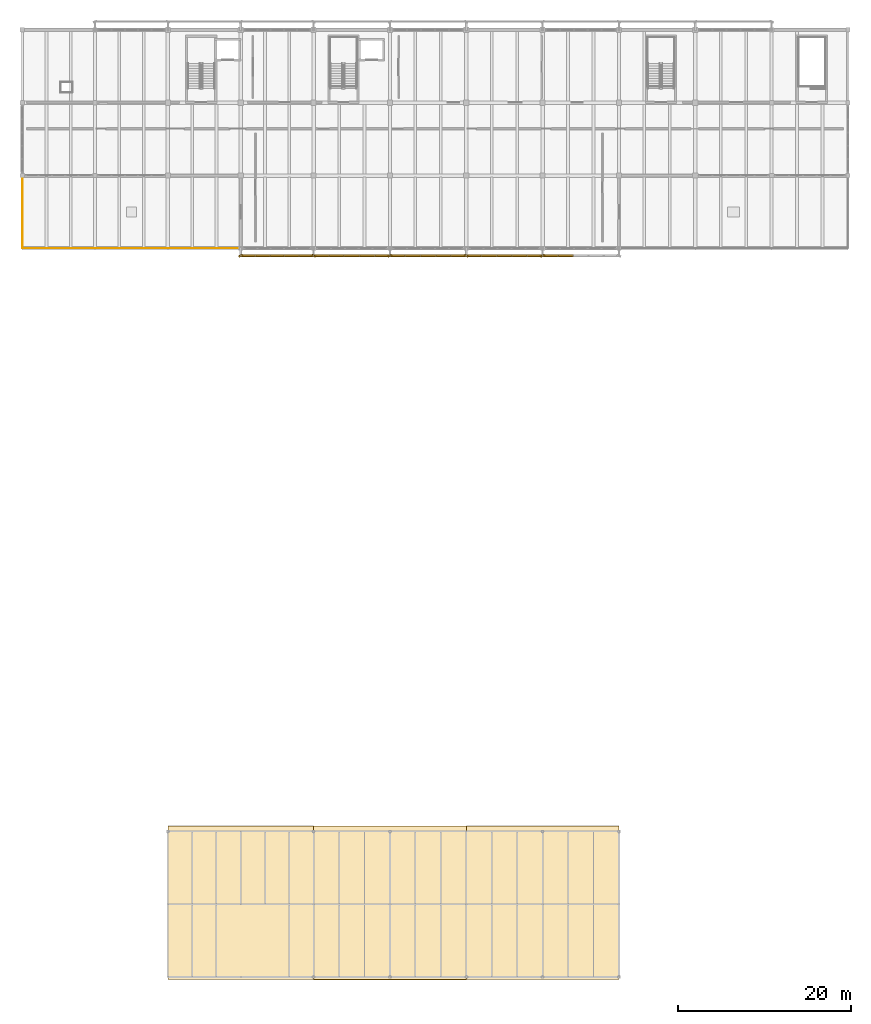
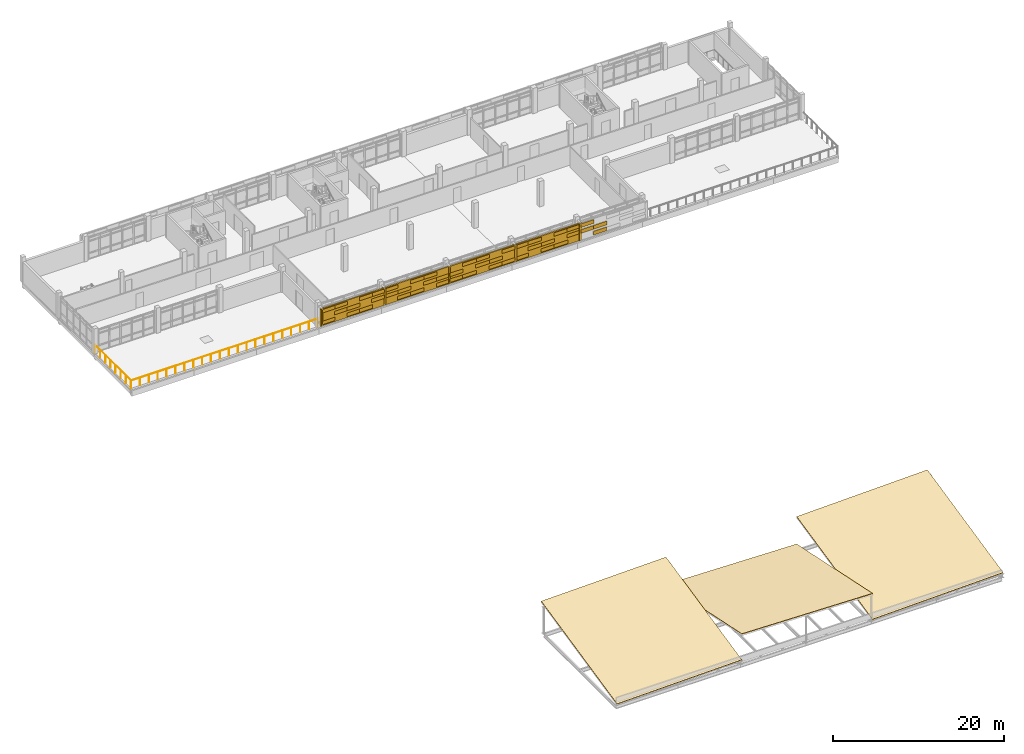
# One storey, part 47 of 50: 52 coverings, 4 shading devices, 2 railings, 1 element without a shape of its own.
"""IFC4 building model written with IfcOpenShell, lengths in metres."""

from ifc_helpers import new_model, si_unit, direction, frame, origin, origin_2d, place, context, subcontext, project, spatial, polyline, rectangle, circle, outline, extrude, material, layer, layer_set, type_object, element, aggregate, save


model = new_model("IFC4")

# Units and contexts
model_context = context("Model", 3, precision=1e-05, world=origin(), true_north=direction((0.0, 1.0)))
body_context = subcontext(model_context, "Body", "Model", "MODEL_VIEW")
ifc_project = project(units=[si_unit("LENGTHUNIT", "METRE"), si_unit("AREAUNIT", "SQUARE_METRE"), si_unit("VOLUMEUNIT", "CUBIC_METRE"), si_unit("PLANEANGLEUNIT", "RADIAN"), si_unit("MASSUNIT", "GRAM", prefix="KILO")], contexts=[model_context])

# Site, building, storey
site_placement = place(None, origin())
site = spatial("IfcSite", under=ifc_project, at=site_placement, CompositionType="ELEMENT")
building_placement = place(site_placement, origin())
building = spatial("IfcBuilding", under=site, at=building_placement, Name="Cinderway Yard Community Centre", CompositionType="ELEMENT")
storey_placement = place(building_placement, frame((0.0, 0.0, 12.89990234375)))
storey = spatial("IfcBuildingStorey", under=building, at=storey_placement, Name="L03", CompositionType="ELEMENT", Elevation=12.89990234375)

# Coverings
ifc_material_1 = material(Name="Brick Masonry", Category="masonry")
ifc_layer_1 = layer(ifc_material_1, 0.18994140625, Name="Brick Masonry")
ifc_layer_set_1 = layer_set([ifc_layer_1], Name="Brick Masonry")
covering_type_1 = type_object("IfcCoveringType", Name="ENV-COV-BRK-SCREEN", PredefinedType="CLADDING", material=ifc_layer_set_1)
for number, where, z_axis, x_axis, name in (
    (1, (66.800048828125, 89.14990234375, 0.64990234375), (0.0, 0.0, 1.0), (-0.913545457643, -0.406736643076, 0.0), "Deconstructivist folded brick fin 0689"),
    (2, (75.199951171875, 89.14990234375, 0.64990234375), (0.0, 0.0, 1.0), (-0.913545457643, 0.406736643076, 0.0), "Deconstructivist folded brick fin 0690"),
    (3, (84.0, 89.14990234375, 0.64990234375), (0.0, 0.0, 1.0), (-0.913545457643, -0.406736643076, 0.0), "Deconstructivist folded brick fin 0691"),
    (4, (92.800048828125, 89.14990234375, 0.64990234375), (0.0, 0.0, 1.0), (-0.913545457643, 0.406736643076, 0.0), "Deconstructivist folded brick fin 0692"),
    (5, (101.60009765625, 89.14990234375, 0.64990234375), (0.0, 0.0, 1.0), (-0.913545457643, -0.406736643076, 0.0), "Deconstructivist folded brick fin 0693"),
):
    element("IfcCovering", number, at=place(storey_placement, frame(where, z_axis=z_axis, x_axis=x_axis)), inside=storey, type_object=covering_type_1, Name=name, PredefinedType="CLADDING", context=body_context, shape_type="SweptSolid", body=[
        extrude(rectangle(XDim=0.4599609375, YDim=0.199951171875, at=origin_2d()), origin(), (0.0, 0.0, 1.0), 2.449951171875),
    ])
for number, where, z_axis, x_axis, name in (
    (6, (67.639892578125, 89.14990234375, 0.7900390625), (0.0, 0.0, 1.0), (-1.0, 0.0, 0.0), "Open-bond perforated brick screen course 00695"),
    (7, (71.0, 89.14990234375, 0.7900390625), (0.0, 0.0, 1.0), (-1.0, 0.0, 0.0), "Open-bond perforated brick screen course 00696"),
    (8, (72.679931640625, 89.14990234375, 0.7900390625), (0.0, 0.0, 1.0), (-1.0, 0.0, 0.0), "Open-bond perforated brick screen course 00697"),
    (9, (69.320068359375, 89.14990234375, 1.62109375), (0.0, 0.0, 1.0), (-1.0, 0.0, 0.0), "Open-bond perforated brick screen course 00698"),
    (10, (71.0, 89.14990234375, 1.62109375), (0.0, 0.0, 1.0), (-1.0, 0.0, 0.0), "Open-bond perforated brick screen course 00699"),
    (11, (74.360107421875, 89.14990234375, 1.62109375), (0.0, 0.0, 1.0), (-1.0, 0.0, 0.0), "Open-bond perforated brick screen course 00700"),
    (12, (67.639892578125, 89.14990234375, 2.4521484375), (0.0, 0.0, 1.0), (-1.0, 0.0, 0.0), "Open-bond perforated brick screen course 00701"),
    (13, (69.320068359375, 89.14990234375, 2.4521484375), (0.0, 0.0, 1.0), (-1.0, 0.0, 0.0), "Open-bond perforated brick screen course 00702"),
    (14, (72.679931640625, 89.14990234375, 2.4521484375), (0.0, 0.0, 1.0), (-1.0, 0.0, 0.0), "Open-bond perforated brick screen course 00703"),
    (15, (74.360107421875, 89.14990234375, 2.4521484375), (0.0, 0.0, 1.0), (-1.0, 0.0, 0.0), "Open-bond perforated brick screen course 00704"),
):
    element("IfcCovering", number, at=place(storey_placement, frame(where, z_axis=z_axis, x_axis=x_axis)), inside=storey, type_object=covering_type_1, Name=name, PredefinedType="CLADDING", context=body_context, shape_type="SweptSolid", body=[
        extrude(rectangle(XDim=1.760009765625, YDim=0.18994140625, at=origin_2d()), origin(), (0.0, 0.0, 1.0), 0.508056640625),
    ])
for number, where, z_axis, x_axis, name in (
    (16, (77.840087890625, 89.14990234375, 0.7900390625), (0.0, 0.0, 1.0), (-1.0, 0.0, 0.0), "Open-bond perforated brick screen course 00705"),
    (17, (79.60009765625, 89.14990234375, 0.7900390625), (0.0, 0.0, 1.0), (-1.0, 0.0, 0.0), "Open-bond perforated brick screen course 00706"),
    (18, (83.1201171875, 89.14990234375, 0.7900390625), (0.0, 0.0, 1.0), (-1.0, 0.0, 0.0), "Open-bond perforated brick screen course 00707"),
    (19, (76.080078125, 89.14990234375, 1.62109375), (0.0, 0.0, 1.0), (-1.0, 0.0, 0.0), "Open-bond perforated brick screen course 00708"),
    (20, (77.840087890625, 89.14990234375, 1.62109375), (0.0, 0.0, 1.0), (-1.0, 0.0, 0.0), "Open-bond perforated brick screen course 00709"),
    (21, (81.360107421875, 89.14990234375, 1.62109375), (0.0, 0.0, 1.0), (-1.0, 0.0, 0.0), "Open-bond perforated brick screen course 00710"),
    (22, (83.1201171875, 89.14990234375, 1.62109375), (0.0, 0.0, 1.0), (-1.0, 0.0, 0.0), "Open-bond perforated brick screen course 00711"),
    (23, (76.080078125, 89.14990234375, 2.4521484375), (0.0, 0.0, 1.0), (-1.0, 0.0, 0.0), "Open-bond perforated brick screen course 00712"),
    (24, (79.60009765625, 89.14990234375, 2.4521484375), (0.0, 0.0, 1.0), (-1.0, 0.0, 0.0), "Open-bond perforated brick screen course 00713"),
    (25, (81.360107421875, 89.14990234375, 2.4521484375), (0.0, 0.0, 1.0), (-1.0, 0.0, 0.0), "Open-bond perforated brick screen course 00714"),
    (26, (84.8798828125, 89.14990234375, 0.7900390625), (0.0, 0.0, 1.0), (-1.0, 0.0, 0.0), "Open-bond perforated brick screen course 00715"),
    (27, (86.639892578125, 89.14990234375, 0.7900390625), (0.0, 0.0, 1.0), (-1.0, 0.0, 0.0), "Open-bond perforated brick screen course 00716"),
    (28, (90.159912109375, 89.14990234375, 0.7900390625), (0.0, 0.0, 1.0), (-1.0, 0.0, 0.0), "Open-bond perforated brick screen course 00717"),
    (29, (91.919921875, 89.14990234375, 0.7900390625), (0.0, 0.0, 1.0), (-1.0, 0.0, 0.0), "Open-bond perforated brick screen course 00718"),
    (30, (84.8798828125, 89.14990234375, 1.62109375), (0.0, 0.0, 1.0), (-1.0, 0.0, 0.0), "Open-bond perforated brick screen course 00719"),
    (31, (88.39990234375, 89.14990234375, 1.62109375), (0.0, 0.0, 1.0), (-1.0, 0.0, 0.0), "Open-bond perforated brick screen course 00720"),
    (32, (90.159912109375, 89.14990234375, 1.62109375), (0.0, 0.0, 1.0), (-1.0, 0.0, 0.0), "Open-bond perforated brick screen course 00721"),
    (33, (86.639892578125, 89.14990234375, 2.4521484375), (0.0, 0.0, 1.0), (-1.0, 0.0, 0.0), "Open-bond perforated brick screen course 00722"),
    (34, (88.39990234375, 89.14990234375, 2.4521484375), (0.0, 0.0, 1.0), (-1.0, 0.0, 0.0), "Open-bond perforated brick screen course 00723"),
    (35, (91.919921875, 89.14990234375, 2.4521484375), (0.0, 0.0, 1.0), (-1.0, 0.0, 0.0), "Open-bond perforated brick screen course 00724"),
    (36, (93.679931640625, 89.14990234375, 0.7900390625), (0.0, 0.0, 1.0), (-1.0, 0.0, 0.0), "Open-bond perforated brick screen course 00725"),
    (37, (97.199951171875, 89.14990234375, 0.7900390625), (0.0, 0.0, 1.0), (-1.0, 0.0, 0.0), "Open-bond perforated brick screen course 00726"),
    (38, (98.9599609375, 89.14990234375, 0.7900390625), (0.0, 0.0, 1.0), (-1.0, 0.0, 0.0), "Open-bond perforated brick screen course 00727"),
    (39, (95.43994140625, 89.14990234375, 1.62109375), (0.0, 0.0, 1.0), (-1.0, 0.0, 0.0), "Open-bond perforated brick screen course 00728"),
    (40, (97.199951171875, 89.14990234375, 1.62109375), (0.0, 0.0, 1.0), (-1.0, 0.0, 0.0), "Open-bond perforated brick screen course 00729"),
    (41, (100.719970703125, 89.14990234375, 1.62109375), (0.0, 0.0, 1.0), (-1.0, 0.0, 0.0), "Open-bond perforated brick screen course 00730"),
    (42, (93.679931640625, 89.14990234375, 2.4521484375), (0.0, 0.0, 1.0), (-1.0, 0.0, 0.0), "Open-bond perforated brick screen course 00731"),
    (43, (95.43994140625, 89.14990234375, 2.4521484375), (0.0, 0.0, 1.0), (-1.0, 0.0, 0.0), "Open-bond perforated brick screen course 00732"),
    (44, (98.9599609375, 89.14990234375, 2.4521484375), (0.0, 0.0, 1.0), (-1.0, 0.0, 0.0), "Open-bond perforated brick screen course 00733"),
    (45, (100.719970703125, 89.14990234375, 2.4521484375), (0.0, 0.0, 1.0), (-1.0, 0.0, 0.0), "Open-bond perforated brick screen course 00734"),
    (46, (104.239990234375, 89.14990234375, 0.7900390625), (0.0, 0.0, 1.0), (-1.0, 0.0, 0.0), "Open-bond perforated brick screen course 00735"),
    (47, (102.47998046875, 89.14990234375, 1.62109375), (0.0, 0.0, 1.0), (-1.0, 0.0, 0.0), "Open-bond perforated brick screen course 00738"),
    (48, (104.239990234375, 89.14990234375, 1.62109375), (0.0, 0.0, 1.0), (-1.0, 0.0, 0.0), "Open-bond perforated brick screen course 00739"),
    (49, (102.47998046875, 89.14990234375, 2.4521484375), (0.0, 0.0, 1.0), (-1.0, 0.0, 0.0), "Open-bond perforated brick screen course 00742"),
):
    element("IfcCovering", number, at=place(storey_placement, frame(where, z_axis=z_axis, x_axis=x_axis)), inside=storey, type_object=covering_type_1, Name=name, PredefinedType="CLADDING", context=body_context, shape_type="SweptSolid", body=[
        extrude(rectangle(XDim=1.840087890625, YDim=0.18994140625, at=origin_2d()), origin(), (0.0, 0.0, 1.0), 0.508056640625),
    ])

# Shading devices
shading_device_type = type_object("IfcShadingDeviceType", Name="ENV-SHD-BRICKSCREEN-A", PredefinedType="USERDEFINED", material=ifc_material_1)
shading_device_placement = place(storey_placement, frame((71.0, 89.14990234375, 0.64990234375), z_axis=(0.0, 0.0, 1.0), x_axis=(-1.0, 0.0, 0.0)))
element("IfcShadingDevice", 50, at=shading_device_placement, inside=storey, type_object=shading_device_type, Name="V4 Courtyard Perforated Brick Screen 0511", ObjectType="PERFORATED BRICK SCREEN", PredefinedType="USERDEFINED", context=body_context, shape_type="SweptSolid", body=[
    extrude(rectangle(XDim=8.199951171875, YDim=0.18994140625, at=origin_2d()), origin(), (0.0, 0.0, 1.0), 2.449951171875),
])
for number, where, z_axis, x_axis, name in (
    (51, (79.60009765625, 89.14990234375, 0.64990234375), (0.0, 0.0, 1.0), (-1.0, 0.0, 0.0), "V4 Courtyard Perforated Brick Screen 0519"),
    (52, (88.39990234375, 89.14990234375, 0.64990234375), (0.0, 0.0, 1.0), (-1.0, 0.0, 0.0), "V4 Courtyard Perforated Brick Screen 0527"),
    (53, (97.199951171875, 89.14990234375, 0.64990234375), (0.0, 0.0, 1.0), (-1.0, 0.0, 0.0), "V4 Courtyard Perforated Brick Screen 0535"),
):
    element("IfcShadingDevice", number, at=place(storey_placement, frame(where, z_axis=z_axis, x_axis=x_axis)), inside=storey, type_object=shading_device_type, Name=name, ObjectType="PERFORATED BRICK SCREEN", PredefinedType="USERDEFINED", context=body_context, shape_type="SweptSolid", body=[
        extrude(rectangle(XDim=8.60009765625, YDim=0.18994140625, at=origin_2d()), origin(), (0.0, 0.0, 1.0), 2.449951171875),
    ])

# Roof, coverings
ifc_material_2 = material(Name="Concrete C40/50", Category="concrete")
ifc_layer_2 = layer(ifc_material_2, 0.199951171875, Name="Concrete C40/50")
ifc_layer_set_2 = layer_set([ifc_layer_2], Name="Concrete C40/50")
roof_type = type_object("IfcRoofType", Name="STR-ROOF-MONOPITCH", PredefinedType="SHED_ROOF", material=ifc_layer_set_2)
roof_placement = place(storey_placement, origin())
roof = element("IfcRoof", 54, at=roof_placement, inside=storey, type_object=roof_type, Name="Dining Wing Scissored Folded Storm Roof", PredefinedType="SHED_ROOF")
ifc_material_3 = material(Name="Standing-Seam Aluminium & Waterproofing", Category="aluminium")
ifc_layer_3 = layer(ifc_material_3, 0.06005859375, Name="Standing-Seam Aluminium & Waterproofing")
ifc_layer_set_3 = layer_set([ifc_layer_3], Name="Standing-Seam Aluminium & Waterproofing")
covering_type_2 = type_object("IfcCoveringType", Name="INT-COV-ROOF-MEM", PredefinedType="ROOFING", material=ifc_layer_set_3)
covering_1_placement = place(storey_placement, frame((58.39990234375, 5.699951171875, 0.31005859375), z_axis=(-0.023246842346, -0.215121230789, 0.976310626996), x_axis=(0.999716632818, 1.525624e-06, 0.02380449675)))
covering_1 = element("IfcCovering", 55, at=covering_1_placement, type_object=covering_type_2, Name="Standing-seam roof membrane 10", PredefinedType="ROOFING", context=body_context, shape_type="SweptSolid", body=[
    extrude(outline(polyline([(0.0, 0.0), (16.80481353131115, -1.3877787807814457e-17), (16.89767574745852, 18.124262367670433), (0.0928680277920872, 18.124314872611116), (0.0, 0.0)])), origin(), (0.0, 0.0, -1.0), 0.06005859375),
])
covering_2_placement = place(storey_placement, frame((75.199951171875, 5.699951171875, 4.41015625), z_axis=(0.022248937275, 0.204564028663, 0.978600297858), x_axis=(0.999741649364, 0.0, -0.022729595829)))
covering_2 = element("IfcCovering", 56, at=covering_2_placement, type_object=covering_type_2, Name="Standing-seam roof membrane 11", PredefinedType="ROOFING", context=body_context, shape_type="SweptSolid", body=[
    extrude(outline(polyline([(0.0, 0.0), (17.6046458276926, 0.0), (17.688744222416112, 18.08233496042542), (0.08409839472351326, 18.08233496042542), (0.0, 0.0)])), origin(), (0.0, 0.0, -1.0), 0.06005859375),
])
covering_3_placement = place(storey_placement, frame((92.800048828125, 5.699951171875, 0.31005859375), z_axis=(-0.02773311433, -0.215103036652, 0.976197499481), x_axis=(0.999596699168, 0.0, 0.028397869854)))
covering_3 = element("IfcCovering", 57, at=covering_3_placement, type_object=covering_type_2, Name="Standing-seam roof membrane 12", PredefinedType="ROOFING", context=body_context, shape_type="SweptSolid", body=[
    extrude(outline(polyline([(0.0, 0.0), (17.60695441498778, 0.0), (17.717710267262124, 18.124214389250884), (0.11075585227434427, 18.124214389250884), (0.0, 0.0)])), origin(), (0.0, 0.0, -1.0), 0.06005859375),
])
aggregate(roof, [covering_1, covering_2, covering_3])

# Railings
ifc_material_4 = material(Name="Painted Galvanised Steel", Category="steel")
railing_type = type_object("IfcRailingType", Name="INT-RAL-GRD112", PredefinedType="GUARDRAIL", material=ifc_material_4)
railing_1_placement = place(storey_placement, frame((66.800048828125, 90.02001953125, 0.0)))
element("IfcRailing", 58, at=railing_1_placement, inside=storey, type_object=railing_type, Name="V4 L03 West Reading Terrace Guard 035", PredefinedType="GUARDRAIL", context=body_context, shape_type="SweptSolid", body=[
    extrude(circle(Radius=0.02392578125, at=origin_2d()), frame((0.0, 0.0, 1.09619140625), z_axis=(-1.0, 0.0, 0.0), x_axis=(0.0, -1.0, 0.0)), (0.0, 0.0, 1.0), 25.179931640625),
    extrude(circle(Radius=0.02099609375, at=origin_2d()), origin(), (0.0, 0.0, 1.0), 1.072021484375),
    extrude(circle(Radius=0.02099609375, at=origin_2d()), frame((-1.198974609375, 0.0, 0.0)), (0.0, 0.0, 1.0), 1.072021484375),
    extrude(circle(Radius=0.02099609375, at=origin_2d()), frame((-2.398193359375, 0.0, 0.0)), (0.0, 0.0, 1.0), 1.072021484375),
    extrude(circle(Radius=0.02099609375, at=origin_2d()), frame((-3.59716796875, 0.0, 0.0)), (0.0, 0.0, 1.0), 1.072021484375),
    extrude(circle(Radius=0.02099609375, at=origin_2d()), frame((-4.796142578125, 0.0, 0.0)), (0.0, 0.0, 1.0), 1.072021484375),
    extrude(circle(Radius=0.02099609375, at=origin_2d()), frame((-5.9951171875, 0.0, 0.0)), (0.0, 0.0, 1.0), 1.072021484375),
    extrude(circle(Radius=0.02099609375, at=origin_2d()), frame((-7.1943359375, 0.0, 0.0)), (0.0, 0.0, 1.0), 1.072021484375),
    extrude(circle(Radius=0.02099609375, at=origin_2d()), frame((-8.393310546875, 0.0, 0.0)), (0.0, 0.0, 1.0), 1.072021484375),
    extrude(circle(Radius=0.02099609375, at=origin_2d()), frame((-9.59228515625, 0.0, 0.0)), (0.0, 0.0, 1.0), 1.072021484375),
    extrude(circle(Radius=0.02099609375, at=origin_2d()), frame((-10.79150390625, 0.0, 0.0)), (0.0, 0.0, 1.0), 1.072021484375),
    extrude(circle(Radius=0.02099609375, at=origin_2d()), frame((-11.990478515625, 0.0, 0.0)), (0.0, 0.0, 1.0), 1.072021484375),
    extrude(circle(Radius=0.02099609375, at=origin_2d()), frame((-13.189453125, 0.0, 0.0)), (0.0, 0.0, 1.0), 1.072021484375),
    extrude(circle(Radius=0.02099609375, at=origin_2d()), frame((-14.388427734375, 0.0, 0.0)), (0.0, 0.0, 1.0), 1.072021484375),
    extrude(circle(Radius=0.02099609375, at=origin_2d()), frame((-15.587646484375, 0.0, 0.0)), (0.0, 0.0, 1.0), 1.072021484375),
    extrude(circle(Radius=0.02099609375, at=origin_2d()), frame((-16.78662109375, 0.0, 0.0)), (0.0, 0.0, 1.0), 1.072021484375),
    extrude(circle(Radius=0.02099609375, at=origin_2d()), frame((-17.985595703125, 0.0, 0.0)), (0.0, 0.0, 1.0), 1.072021484375),
    extrude(circle(Radius=0.02099609375, at=origin_2d()), frame((-19.184814453125, 0.0, 0.0)), (0.0, 0.0, 1.0), 1.072021484375),
    extrude(circle(Radius=0.02099609375, at=origin_2d()), frame((-20.3837890625, 0.0, 0.0)), (0.0, 0.0, 1.0), 1.072021484375),
    extrude(circle(Radius=0.02099609375, at=origin_2d()), frame((-21.582763671875, 0.0, 0.0)), (0.0, 0.0, 1.0), 1.072021484375),
    extrude(circle(Radius=0.02099609375, at=origin_2d()), frame((-22.78173828125, 0.0, 0.0)), (0.0, 0.0, 1.0), 1.072021484375),
    extrude(circle(Radius=0.02099609375, at=origin_2d()), frame((-23.98095703125, 0.0, 0.0)), (0.0, 0.0, 1.0), 1.072021484375),
    extrude(circle(Radius=0.02099609375, at=origin_2d()), frame((-25.179931640625, 0.0, 0.0)), (0.0, 0.0, 1.0), 1.072021484375),
])
railing_2_placement = place(storey_placement, frame((41.6201171875, 90.02001953125, 0.0)))
element("IfcRailing", 59, at=railing_2_placement, inside=storey, type_object=railing_type, Name="V4 L03 West Reading Terrace Guard 036", PredefinedType="GUARDRAIL", context=body_context, shape_type="SweptSolid", body=[
    extrude(circle(Radius=0.02392578125, at=origin_2d()), frame((0.0, 0.0, 1.09619140625), z_axis=(0.0, 1.0, 0.0), x_axis=(-1.0, 0.0, 0.0)), (0.0, 0.0, 1.0), 8.3798828125),
    extrude(circle(Radius=0.02099609375, at=origin_2d()), origin(), (0.0, 0.0, 1.0), 1.072021484375),
    extrude(circle(Radius=0.02099609375, at=origin_2d()), frame((0.0, 1.197021484375, 0.0)), (0.0, 0.0, 1.0), 1.072021484375),
    extrude(circle(Radius=0.02099609375, at=origin_2d()), frame((0.0, 2.394287109375, 0.0)), (0.0, 0.0, 1.0), 1.072021484375),
    extrude(circle(Radius=0.02099609375, at=origin_2d()), frame((0.0, 3.59130859375, 0.0)), (0.0, 0.0, 1.0), 1.072021484375),
    extrude(circle(Radius=0.02099609375, at=origin_2d()), frame((0.0, 4.78857421875, 0.0)), (0.0, 0.0, 1.0), 1.072021484375),
    extrude(circle(Radius=0.02099609375, at=origin_2d()), frame((0.0, 5.985595703125, 0.0)), (0.0, 0.0, 1.0), 1.072021484375),
    extrude(circle(Radius=0.02099609375, at=origin_2d()), frame((0.0, 7.182861328125, 0.0)), (0.0, 0.0, 1.0), 1.072021484375),
    extrude(circle(Radius=0.02099609375, at=origin_2d()), frame((0.0, 8.3798828125, 0.0)), (0.0, 0.0, 1.0), 1.072021484375),
])

save(model, "model.ifc")
